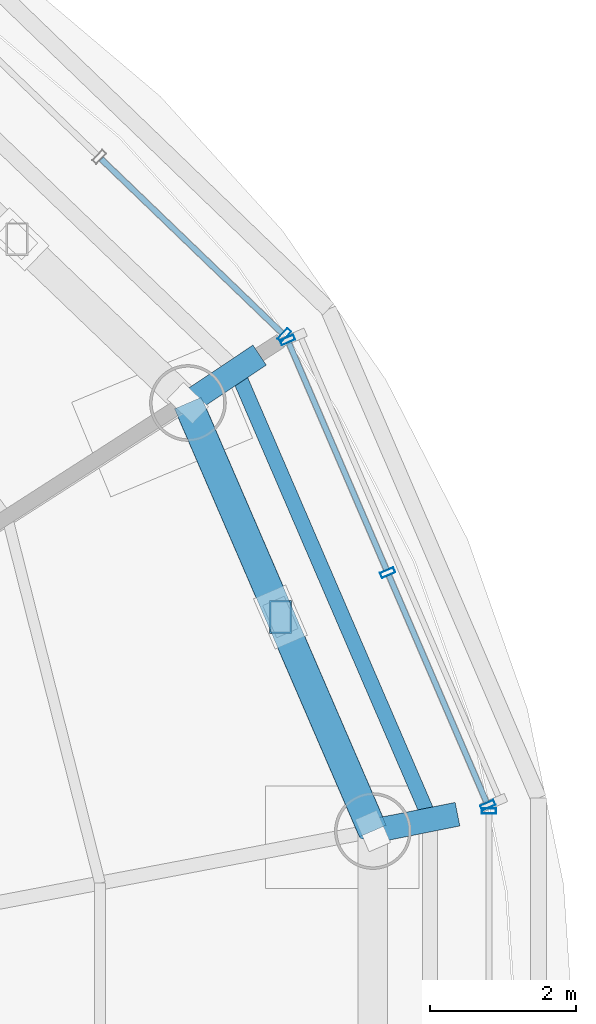
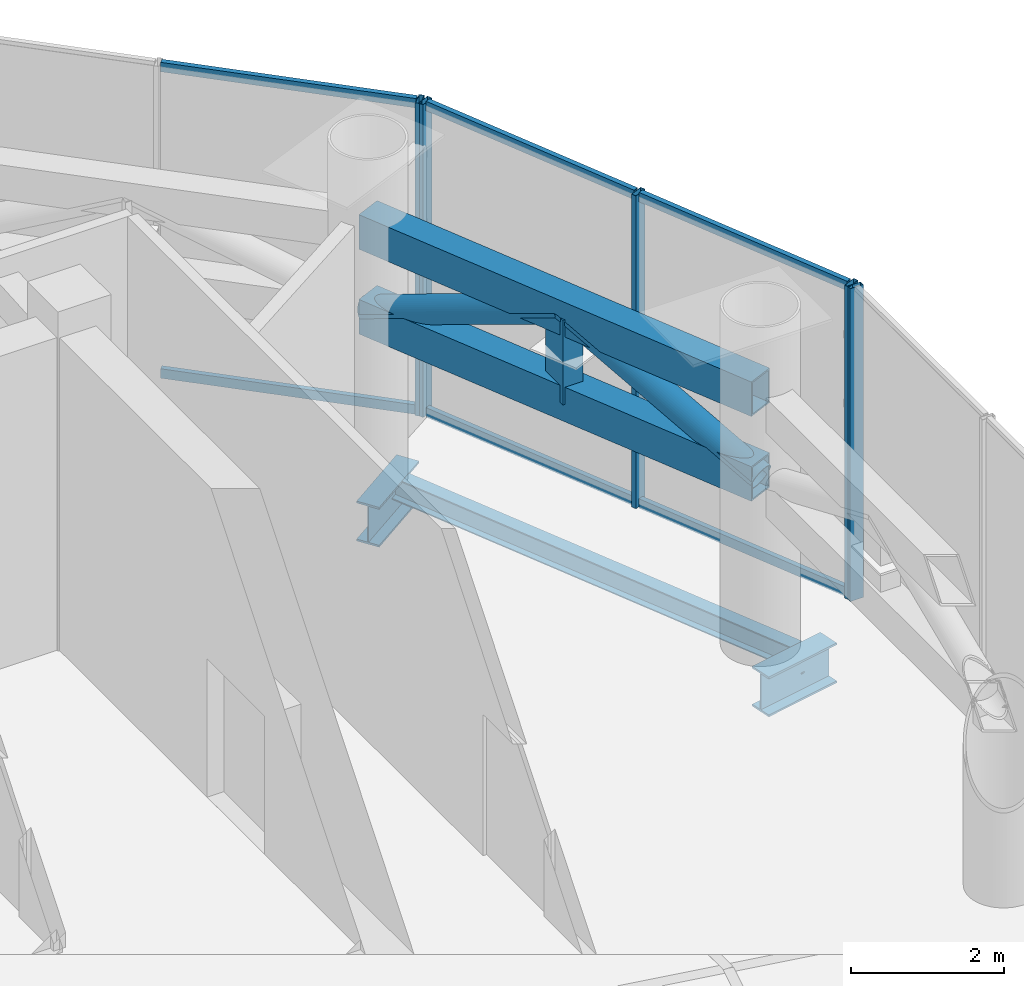
# One storey, part 12 of 21: 16 members, 3 beams, 3 elements without a shape of their own.
"""IFC4 building model written with IfcOpenShell, lengths in metres."""

from ifc_helpers import new_model, si_unit, direction, frame, origin, origin_2d, place, context, subcontext, project, spatial, hollow_rectangle, hollow_circle, i_section, extrude, source, transform, mapped, material, material_profile, profile_set, type_object, element, aggregate, save


model = new_model("IFC4")

# Units and contexts
model_context = context("Model", 3, precision=1e-05, world=origin(), true_north=direction((-0.2419218956, 0.970295726276)))
body_context = subcontext(model_context, "Body", "Model", "MODEL_VIEW")
ifc_project = project(units=[si_unit("LENGTHUNIT", "METRE"), si_unit("AREAUNIT", "SQUARE_METRE"), si_unit("VOLUMEUNIT", "CUBIC_METRE"), si_unit("PLANEANGLEUNIT", "RADIAN"), si_unit("MASSUNIT", "GRAM", prefix="KILO")], contexts=[model_context])

# Site, building, storey
site_placement = place(None, origin())
site = spatial("IfcSite", under=ifc_project, at=site_placement, CompositionType="ELEMENT")
building_placement = place(site_placement, origin())
building = spatial("IfcBuilding", under=site, at=building_placement, Name="Cobrevalo Terracotta Tower", CompositionType="ELEMENT")
storey_placement = place(building_placement, frame((0.0, 0.0, 300.699951171875)))
storey = spatial("IfcBuildingStorey", under=building, at=storey_placement, Name="L79", CompositionType="ELEMENT", Elevation=300.699951171875)

# Beams
ifc_material_1 = material(Name="Steel S355", Category="steel")
ifc_material_profile_1 = material_profile(ifc_material_1, i_section(OverallWidth=0.3291015625, OverallDepth=0.635009765625, WebThickness=0.017822265625, FlangeThickness=0.031005859375, at=origin_2d()), Name="W 610x241")
ifc_profile_set_1 = profile_set([ifc_material_profile_1], Name="Steel S355")
beam_type_1 = type_object("IfcBeamType", Name="Structural Beam W 610x241 (Steel S355)", PredefinedType="BEAM", material=ifc_profile_set_1)
beam_1_placement = place(storey_placement, frame((55.78173828125, 30.200439453125, -0.767333984375), z_axis=(-0.980787003584, -0.195081658802, 0.0), x_axis=(0.195081658802, -0.980787003584, 0.0)))
element("IfcBeam", 1, at=beam_1_placement, inside=storey, type_object=beam_type_1, Name="L79 setback step-link girder 01", PredefinedType="BEAM", context=body_context, shape_type="SweptSolid", body=[
    extrude(i_section(OverallWidth=0.3291015625, OverallDepth=0.635009765625, WebThickness=0.017822265625, FlangeThickness=0.031005859375, at=origin_2d()), origin(), (0.0, 0.0, 1.0), 1.18017578125),
])
beam_2_placement = place(storey_placement, frame((53.074462890625, 36.483642578125, -0.767333984375), z_axis=(-0.831444927207, -0.5556071751, 0.0), x_axis=(0.5556071751, -0.831444927207, 0.0)))
element("IfcBeam", 2, at=beam_2_placement, inside=storey, type_object=beam_type_1, Name="L79 setback step-link girder 02", PredefinedType="BEAM", context=body_context, shape_type="SweptSolid", body=[
    extrude(i_section(OverallWidth=0.3291015625, OverallDepth=0.635009765625, WebThickness=0.017822265625, FlangeThickness=0.031005859375, at=origin_2d()), origin(), (0.0, 0.0, 1.0), 1.179931640625),
])
ifc_material_profile_2 = material_profile(ifc_material_1, i_section(OverallWidth=0.205078125, OverallDepth=0.35400390625, WebThickness=0.009521484375, FlangeThickness=0.016845703125, at=origin_2d()), Name="W 360x79")
ifc_profile_set_2 = profile_set([ifc_material_profile_2], Name="Steel S355")
beam_type_2 = type_object("IfcBeamType", Name="Structural Spandrel W 360x79 (Steel S355)", PredefinedType="SPANDREL", material=ifc_profile_set_2)
beam_3_placement = place(storey_placement, frame((55.408935546875, 30.126220703125, -0.626953125), z_axis=(-0.395974127655, 0.918261667624, 0.0), x_axis=(-0.918261667624, -0.395974127655, 0.0)))
element("IfcBeam", 3, at=beam_3_placement, inside=storey, type_object=beam_type_2, Name="L79 perimeter ring spandrel 01", PredefinedType="SPANDREL", context=body_context, shape_type="SweptSolid", body=[
    extrude(i_section(OverallWidth=0.205078125, OverallDepth=0.35400390625, WebThickness=0.009521484375, FlangeThickness=0.016845703125, at=origin_2d()), origin(), (0.0, 0.0, 1.0), 6.693359375),
])

# Members
ifc_material_profile_3 = material_profile(ifc_material_1, hollow_rectangle(XDim=0.39990234375, YDim=0.550048828125, WallThickness=0.02490234375, at=origin_2d()), Name="RHS 550x400x25")
ifc_profile_set_3 = profile_set([ifc_material_profile_3], Name="Steel S355")
member_type_1 = type_object("IfcMemberType", Name="Steel Chord RHS 550x400x25 (Steel S355)", PredefinedType="CHORD", material=ifc_profile_set_3)
shared_shape_1 = source(origin(), body_context, "Body", "SweptSolid", [
    extrude(hollow_rectangle(XDim=0.39990234375, YDim=0.550048828125, WallThickness=0.02490234375, at=origin_2d()), origin(), (0.0, 0.0, 1.0), 6.381103515625),
])
for number, where, z_axis, x_axis, name in (
    (4, (54.624267578125, 29.97021484375, 2.650146484375), (-0.396595776552, 0.917993349661, 0.0), (-0.917993349661, -0.396595776552, 0.0), "L79 belt truss chord 01-BC"),
    (5, (54.624267578125, 29.97021484375, 4.0), (-0.396595776552, 0.917993349661, 0.0), (-0.917993349661, -0.396595776552, 0.0), "L79 belt truss chord 01-TC"),
):
    element("IfcMember", number, at=place(storey_placement, frame(where, z_axis=z_axis, x_axis=x_axis)), inside=storey, type_object=member_type_1, Name=name, PredefinedType="CHORD", context=body_context, shape_type="MappedRepresentation", body=[
        mapped(shared_shape_1, transform((0.0, 0.0, 0.0), scale=1.0)),
    ])
ifc_material_profile_4 = material_profile(ifc_material_1, hollow_rectangle(XDim=0.300048828125, YDim=0.449951171875, WallThickness=0.02001953125, at=origin_2d()), Name="RHS 450x300x20")
ifc_profile_set_4 = profile_set([ifc_material_profile_4], Name="Steel S355")
member_type_2 = type_object("IfcMemberType", Name="Steel Post RHS 450x300x20 (Steel S355)", PredefinedType="POST", material=ifc_profile_set_4)
shared_shape_2 = source(origin(), body_context, "Body", "SweptSolid", [
    extrude(hollow_rectangle(XDim=0.300048828125, YDim=0.449951171875, WallThickness=0.02001953125, at=origin_2d()), origin(), (0.0, 0.0, 1.0), 1.349853515625),
])
member_1_placement = place(storey_placement, frame((53.35888671875, 32.899169921875, 2.650146484375), z_axis=(0.0, 0.0, 1.0), x_axis=(1.0, 0.0, 0.0)))
element("IfcMember", 6, at=member_1_placement, inside=storey, type_object=member_type_2, Name="L79 belt truss post 01", PredefinedType="POST", context=body_context, shape_type="MappedRepresentation", body=[
    mapped(shared_shape_2, transform((0.0, 0.0, 0.0), scale=1.0)),
])
ifc_material_profile_5 = material_profile(ifc_material_1, hollow_circle(Radius=0.202880859375, WallThickness=0.01611328125, at=origin_2d()), Name="CHS 406x16")
ifc_profile_set_5 = profile_set([ifc_material_profile_5], Name="Steel S355")
member_type_3 = type_object("IfcMemberType", Name="Steel Brace CHS 406x16 (Steel S355)", PredefinedType="BRACE", material=ifc_profile_set_5)
shared_shape_3 = source(origin(), body_context, "Body", "SweptSolid", [
    extrude(hollow_circle(Radius=0.202880859375, WallThickness=0.01611328125, at=origin_2d()), origin(), (0.0, 0.0, 1.0), 3.46435546875),
])
for number, where, z_axis, x_axis, name in (
    (7, (54.624267578125, 29.97021484375, 2.650146484375), (-0.365252471752, 0.845443546905, 0.389635523117), (-0.917993349661, -0.396595776552, 0.0), "L79 belt truss diagonal brace 01-D1"),
    (8, (52.093505859375, 35.828125, 2.650146484375), (0.365252471752, -0.845443546905, 0.389635523117), (0.917993349661, 0.396595776552, 0.0), "L79 belt truss diagonal brace 01-D2"),
):
    element("IfcMember", number, at=place(storey_placement, frame(where, z_axis=z_axis, x_axis=x_axis)), inside=storey, type_object=member_type_3, Name=name, PredefinedType="BRACE", context=body_context, shape_type="MappedRepresentation", body=[
        mapped(shared_shape_3, transform((0.0, 0.0, 0.0), scale=1.0)),
    ])

# Curtain wall, members
ifc_material_2 = material(Name="Anodized aluminium", Category="aluminium")
curtain_wall_type = type_object("IfcCurtainWallType", Name="Belt-truss plant acoustic weather-louvre curtain wall CW-LV", PredefinedType="NOTDEFINED", material=ifc_material_2)
curtain_wall_1_placement = place(storey_placement, origin())
curtain_wall_1 = element("IfcCurtainWall", 9, at=curtain_wall_1_placement, inside=storey, type_object=curtain_wall_type, Name="L79 curtain wall CW-LV-L79-S01", PredefinedType="NOTDEFINED")
ifc_material_profile_6 = material_profile(ifc_material_2, hollow_rectangle(XDim=0.074951171875, YDim=0.199951171875, WallThickness=0.0048828125, at=origin_2d()), Name="CWM 75x200")
ifc_profile_set_6 = profile_set([ifc_material_profile_6], Name="Anodized aluminium")
member_type_4 = type_object("IfcMemberType", Name="Lower/mid tower unitised mullion 75x200", PredefinedType="MULLION", material=ifc_profile_set_6)
shared_shape_4 = source(origin(), body_context, "Body", "SweptSolid", [
    extrude(hollow_rectangle(XDim=0.074951171875, YDim=0.199951171875, WallThickness=0.0048828125, at=origin_2d()), origin(), (0.0, 0.0, 1.0), 4.97998046875),
])
member_2_placement = place(storey_placement, frame((56.197265625, 30.322998046875, 0.0), z_axis=(0.0, 0.0, 1.0), x_axis=(-0.395369166227, 0.918522303701, 0.0)))
member_2 = element("IfcMember", 10, at=member_2_placement, type_object=member_type_4, Name="CW-LV-L79-S01 vertical mullion 01", PredefinedType="MULLION", context=body_context, shape_type="MappedRepresentation", body=[
    mapped(shared_shape_4, transform((0.0, 0.0, 0.0), scale=1.0)),
])
member_3_placement = place(storey_placement, frame((54.826904296875, 33.507080078125, 0.0), z_axis=(0.0, 0.0, 1.0), x_axis=(-0.395369166227, 0.918522303701, 0.0)))
member_3 = element("IfcMember", 11, at=member_3_placement, type_object=member_type_4, Name="CW-LV-L79-S01 vertical mullion 02", PredefinedType="MULLION", context=body_context, shape_type="MappedRepresentation", body=[
    mapped(shared_shape_4, transform((0.0, 0.0, 0.0), scale=1.0)),
])
member_4_placement = place(storey_placement, frame((53.456298828125, 36.69140625, 0.0), z_axis=(0.0, 0.0, 1.0), x_axis=(-0.395369166227, 0.918522303701, 0.0)))
member_4 = element("IfcMember", 12, at=member_4_placement, type_object=member_type_4, Name="CW-LV-L79-S01 vertical mullion 03", PredefinedType="MULLION", context=body_context, shape_type="MappedRepresentation", body=[
    mapped(shared_shape_4, transform((0.0, 0.0, 0.0), scale=1.0)),
])

# Curtain wall, member
curtain_wall_2_placement = place(storey_placement, origin())
curtain_wall_2 = element("IfcCurtainWall", 13, at=curtain_wall_2_placement, inside=storey, type_object=curtain_wall_type, Name="L79 curtain wall CW-LV-L79-S02", PredefinedType="NOTDEFINED")
member_5_placement = place(storey_placement, frame((53.41162109375, 36.755859375, 0.0), z_axis=(0.0, 0.0, 1.0), x_axis=(-0.72055111168, 0.693401828276, 0.0)))
member_5 = element("IfcMember", 14, at=member_5_placement, type_object=member_type_4, Name="CW-LV-L79-S02 vertical mullion 01", PredefinedType="MULLION", context=body_context, shape_type="MappedRepresentation", body=[
    mapped(shared_shape_4, transform((0.0, 0.0, 0.0), scale=1.0)),
])

curtain_wall_3_placement = place(storey_placement, origin())
curtain_wall_3 = element("IfcCurtainWall", 15, at=curtain_wall_3_placement, inside=storey, type_object=curtain_wall_type, Name="L79 curtain wall CW-LV-L79-S16", PredefinedType="NOTDEFINED")
member_6_placement = place(storey_placement, frame((56.213134765625, 30.246337890625, 0.0), z_axis=(0.0, 0.0, 1.0), x_axis=(0.0, 1.0, 0.0)))
member_6 = element("IfcMember", 16, at=member_6_placement, type_object=member_type_4, Name="CW-LV-L79-S16 vertical mullion 03", PredefinedType="MULLION", context=body_context, shape_type="MappedRepresentation", body=[
    mapped(shared_shape_4, transform((0.0, 0.0, 0.0), scale=1.0)),
])
aggregate(curtain_wall_3, [member_6])

# Member
ifc_material_profile_7 = material_profile(ifc_material_2, hollow_rectangle(XDim=0.074951171875, YDim=0.14990234375, WallThickness=0.00439453125, at=origin_2d()), Name="CWT 75x150")
ifc_profile_set_7 = profile_set([ifc_material_profile_7], Name="Anodized aluminium")
member_type_5 = type_object("IfcMemberType", Name="Tower unitised aluminium transom 75x150", PredefinedType="USERDEFINED", material=ifc_profile_set_7)
shared_shape_5 = source(origin(), body_context, "Body", "SweptSolid", [
    extrude(hollow_rectangle(XDim=0.074951171875, YDim=0.14990234375, WallThickness=0.00439453125, at=origin_2d()), origin(), (0.0, 0.0, 1.0), 3.386474609375),
])
member_7_placement = place(storey_placement, frame((56.181640625, 30.35986328125, 0.050048828125), z_axis=(-0.395415271574, 0.918502456723, 0.0), x_axis=(-0.918502456723, -0.395415271574, 0.0)))
member_7 = element("IfcMember", 17, at=member_7_placement, type_object=member_type_5, Name="CW-LV-L79-S01 transom B01-T1", ObjectType="TRANSOM", PredefinedType="USERDEFINED", context=body_context, shape_type="MappedRepresentation", body=[
    mapped(shared_shape_5, transform((0.0, 0.0, 0.0), scale=1.0)),
])

member_8_placement = place(storey_placement, frame((56.181640625, 30.35986328125, 4.929931640625), z_axis=(-0.395415271574, 0.918502456723, 0.0), x_axis=(-0.918502456723, -0.395415271574, 0.0)))
member_8 = element("IfcMember", 18, at=member_8_placement, type_object=member_type_5, Name="CW-LV-L79-S01 transom B01-T2", ObjectType="TRANSOM", PredefinedType="USERDEFINED", context=body_context, shape_type="MappedRepresentation", body=[
    mapped(shared_shape_5, transform((0.0, 0.0, 0.0), scale=1.0)),
])

member_9_placement = place(storey_placement, frame((54.81103515625, 33.5439453125, 0.050048828125), z_axis=(-0.395415271574, 0.918502456723, 0.0), x_axis=(-0.918502456723, -0.395415271574, 0.0)))
member_9 = element("IfcMember", 19, at=member_9_placement, type_object=member_type_5, Name="CW-LV-L79-S01 transom B02-T1", ObjectType="TRANSOM", PredefinedType="USERDEFINED", context=body_context, shape_type="MappedRepresentation", body=[
    mapped(shared_shape_5, transform((0.0, 0.0, 0.0), scale=1.0)),
])

member_10_placement = place(storey_placement, frame((54.81103515625, 33.5439453125, 4.929931640625), z_axis=(-0.395415271574, 0.918502456723, 0.0), x_axis=(-0.918502456723, -0.395415271574, 0.0)))
member_10 = element("IfcMember", 20, at=member_10_placement, type_object=member_type_5, Name="CW-LV-L79-S01 transom B02-T2", ObjectType="TRANSOM", PredefinedType="USERDEFINED", context=body_context, shape_type="MappedRepresentation", body=[
    mapped(shared_shape_5, transform((0.0, 0.0, 0.0), scale=1.0)),
])

aggregate(curtain_wall_1, [member_2, member_3, member_4, member_7, member_8, member_9, member_10])

shared_shape_6 = source(origin(), body_context, "Body", "SweptSolid", [
    extrude(hollow_rectangle(XDim=0.074951171875, YDim=0.14990234375, WallThickness=0.00439453125, at=origin_2d()), origin(), (0.0, 0.0, 1.0), 3.435302734375),
])
member_11_placement = place(storey_placement, frame((53.3828125, 36.783447265625, 0.050048828125), z_axis=(-0.720550320284, 0.693402650657, 0.0), x_axis=(-0.693402650657, -0.720550320284, 0.0)))
member_11 = element("IfcMember", 21, at=member_11_placement, type_object=member_type_5, Name="CW-LV-L79-S02 transom B01-T1", ObjectType="TRANSOM", PredefinedType="USERDEFINED", context=body_context, shape_type="MappedRepresentation", body=[
    mapped(shared_shape_6, transform((0.0, 0.0, 0.0), scale=1.0)),
])

member_12_placement = place(storey_placement, frame((53.3828125, 36.783447265625, 4.929931640625), z_axis=(-0.720550320284, 0.693402650657, 0.0), x_axis=(-0.693402650657, -0.720550320284, 0.0)))
member_12 = element("IfcMember", 22, at=member_12_placement, type_object=member_type_5, Name="CW-LV-L79-S02 transom B01-T2", ObjectType="TRANSOM", PredefinedType="USERDEFINED", context=body_context, shape_type="MappedRepresentation", body=[
    mapped(shared_shape_6, transform((0.0, 0.0, 0.0), scale=1.0)),
])

aggregate(curtain_wall_2, [member_5, member_11, member_12])

save(model, "model.ifc")
